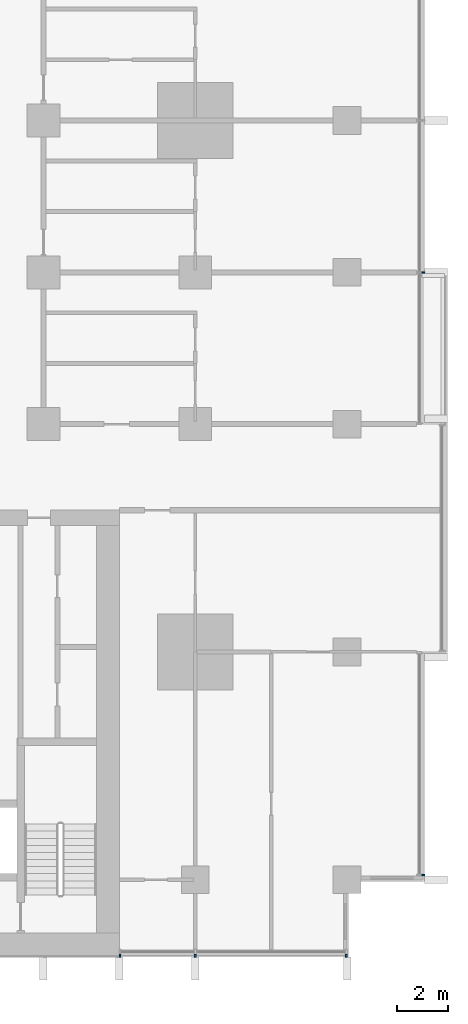
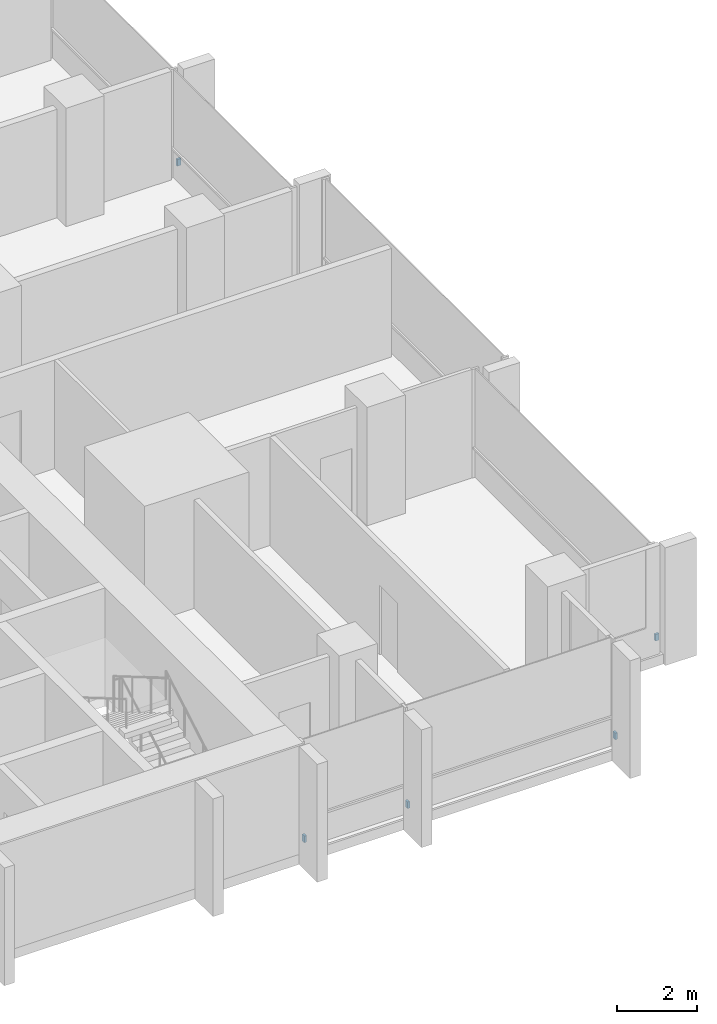
# One storey, part 15 of 18: 5 discrete accessories.
"""IFC4 building model written with IfcOpenShell, lengths in metres."""

from ifc_helpers import new_model, si_unit, direction, frame, origin, origin_2d, place, context, subcontext, project, spatial, rectangle, extrude, material, type_object, element, save


model = new_model("IFC4")

# Units and contexts
model_context = context("Model", 3, precision=1e-05, world=origin(), true_north=direction((0.0, 1.0)))
body_context = subcontext(model_context, "Body", "Model", "MODEL_VIEW")
ifc_project = project(units=[si_unit("LENGTHUNIT", "METRE"), si_unit("AREAUNIT", "SQUARE_METRE"), si_unit("VOLUMEUNIT", "CUBIC_METRE"), si_unit("PLANEANGLEUNIT", "RADIAN"), si_unit("MASSUNIT", "GRAM", prefix="KILO")], contexts=[model_context])

# Site, building, storey
site_placement = place(None, origin())
site = spatial("IfcSite", under=ifc_project, at=site_placement, CompositionType="ELEMENT")
building_placement = place(site_placement, origin())
building = spatial("IfcBuilding", under=site, at=building_placement, Name="Finial Court Residences", CompositionType="ELEMENT")
storey_placement = place(building_placement, frame((0.0, 0.0, 46.89990234375)))
storey = spatial("IfcBuildingStorey", under=building, at=storey_placement, Name="L10", CompositionType="ELEMENT", Elevation=46.89990234375)

# Discrete accessories
ifc_material = material(Name="Stainless steel 316", Category="steel")
discrete_accessory_type = type_object("IfcDiscreteAccessoryType", Name="Fin bracket, stainless steel 65 x 110 x 200", PredefinedType="BRACKET", material=ifc_material)
for number, where, z_axis, x_axis, name in (
    (1, (25.5048828125, -22.3173828125, 0.30029296875), (0.0, 0.0, 1.0), (1.0, 0.0, 0.0), "E-L10-FIN-E9-BRK"),
    (2, (25.5048828125, 1.5, 0.30029296875), (0.0, 0.0, 1.0), (1.0, 0.0, 0.0), "E-L10-FIN-E12-BRK"),
):
    element("IfcDiscreteAccessory", number, at=place(storey_placement, frame(where, z_axis=z_axis, x_axis=x_axis)), inside=storey, type_object=discrete_accessory_type, Name=name, PredefinedType="BRACKET", context=body_context, shape_type="SweptSolid", body=[
        extrude(rectangle(XDim=0.110107421875, YDim=0.06494140625, at=origin_2d()), origin(), (0.0, 0.0, 1.0), 0.199951171875),
    ])
for number, where, z_axis, x_axis, name in (
    (3, (13.532470703125, -25.5048828125, 0.30029296875), (0.0, 0.0, 1.0), (1.0, 0.0, 0.0), "E-L10-FIN-S24-BRK"),
    (4, (16.5, -25.5048828125, 0.30029296875), (0.0, 0.0, 1.0), (1.0, 0.0, 0.0), "E-L10-FIN-S25-BRK"),
    (5, (22.467529296875, -25.5048828125, 0.30029296875), (0.0, 0.0, 1.0), (1.0, 0.0, 0.0), "E-L10-FIN-S26-BRK"),
):
    element("IfcDiscreteAccessory", number, at=place(storey_placement, frame(where, z_axis=z_axis, x_axis=x_axis)), inside=storey, type_object=discrete_accessory_type, Name=name, PredefinedType="BRACKET", context=body_context, shape_type="SweptSolid", body=[
        extrude(rectangle(XDim=0.06494140625, YDim=0.110107421875, at=origin_2d()), origin(), (0.0, 0.0, 1.0), 0.199951171875),
    ])

save(model, "model.ifc")
